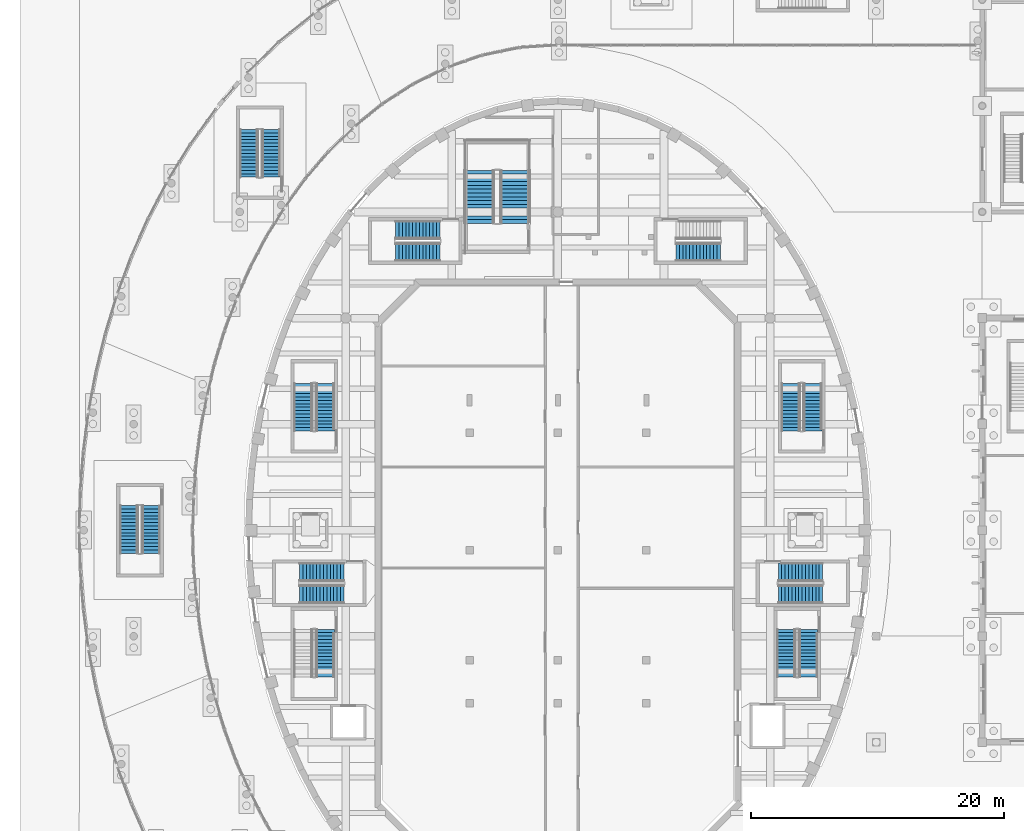
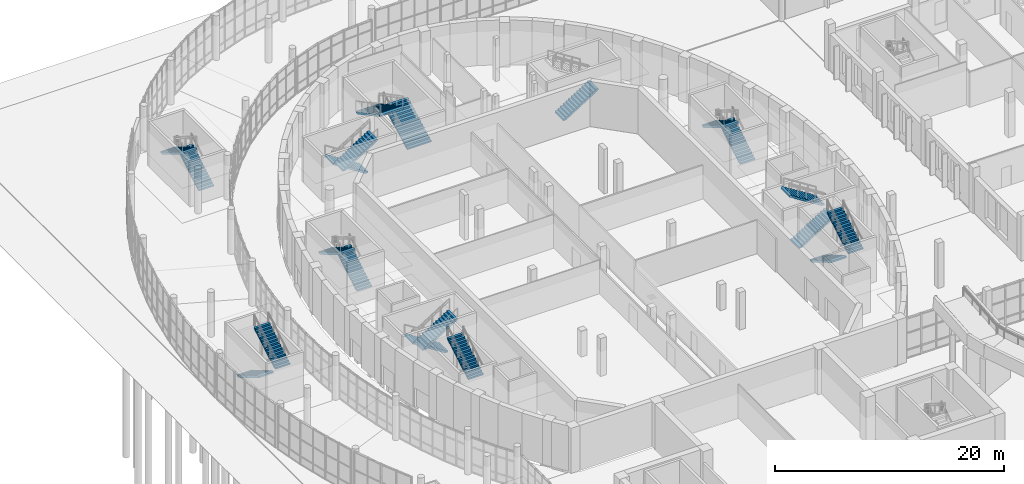
# One storey, part 70 of 110: 20 stair flights, 11 elements without a shape of their own.
"""IFC4 building model written with IfcOpenShell, lengths in metres."""

from ifc_helpers import new_model, si_unit, direction, frame, origin, place, context, subcontext, project, spatial, polyline, outline, extrude, material, type_object, element, aggregate, save


model = new_model("IFC4")

# Units and contexts
model_context = context("Model", 3, precision=1e-05, world=origin(), true_north=direction((0.0, 1.0)))
body_context = subcontext(model_context, "Body", "Model", "MODEL_VIEW")
ifc_project = project(units=[si_unit("LENGTHUNIT", "METRE"), si_unit("AREAUNIT", "SQUARE_METRE"), si_unit("VOLUMEUNIT", "CUBIC_METRE"), si_unit("PLANEANGLEUNIT", "RADIAN"), si_unit("MASSUNIT", "GRAM", prefix="KILO")], contexts=[model_context])

# Site, building, storey
site_placement = place(None, origin())
site = spatial("IfcSite", under=ifc_project, at=site_placement, CompositionType="ELEMENT")
building_placement = place(site_placement, origin())
building = spatial("IfcBuilding", under=site, at=building_placement, Name="Larchfold Concert Hall", CompositionType="ELEMENT")
storey_placement = place(building_placement, origin())
storey = spatial("IfcBuildingStorey", under=building, at=storey_placement, Name="L00", CompositionType="ELEMENT", Elevation=0.0)

# Stair, stair flights
ifc_material_1 = material(Name="Concrete C35/45", Category="concrete")
stair_type_1 = type_object("IfcStairType", Name="Stair RC half-turn enclosed", PredefinedType="HALF_TURN_STAIR", material=ifc_material_1)
stair_1_placement = place(storey_placement, origin())
stair_1 = element("IfcStair", 1, at=stair_1_placement, inside=storey, type_object=stair_type_1, Name="Stair DS1", PredefinedType="HALF_TURN_STAIR")
ifc_material_2 = material(Name="Concrete C35/45", Category="concrete")
stair_flight_type_1 = type_object("IfcStairFlightType", Name="Stair flight RC 1500 x 160.0", PredefinedType="STRAIGHT", material=ifc_material_2)
stair_flight_1_placement = place(storey_placement, frame((62.75, 92.449951171875, 0.0), z_axis=(0.0, 0.0, 1.0), x_axis=(0.0, 1.0, 0.0)))
stair_flight_1 = element("IfcStairFlight", 2, at=stair_flight_1_placement, type_object=stair_flight_type_1, Name="ST01 flight 1", NumberOfRisers=15, NumberOfTreads=14, PredefinedType="STRAIGHT", RiserHeight=0.16, TreadLength=0.27, context=body_context, shape_type="SweptSolid", body=[
    extrude(outline(polyline([(0.0, 0.0), (0.0, 0.159912109375), (0.27001953125, 0.159912109375), (0.27001953125, 0.320068359375), (0.5400390625, 0.320068359375), (0.5400390625, 0.47998046875), (0.81005859375, 0.47998046875), (0.81005859375, 0.639892578125), (1.080078125, 0.639892578125), (1.080078125, 0.800048828125), (1.35009765625, 0.800048828125), (1.35009765625, 0.9599609375), (1.6201171875, 0.9599609375), (1.6201171875, 1.1201171875), (1.889892578125, 1.1201171875), (1.889892578125, 1.280029296875), (2.159912109375, 1.280029296875), (2.159912109375, 1.43994140625), (2.429931640625, 1.43994140625), (2.429931640625, 1.60009765625), (2.699951171875, 1.60009765625), (2.699951171875, 1.760009765625), (2.969970703125, 1.760009765625), (2.969970703125, 1.919921875), (3.239990234375, 1.919921875), (3.239990234375, 2.080078125), (3.510009765625, 2.080078125), (3.510009765625, 2.239990234375), (3.780029296875, 2.239990234375), (3.780029296875, 2.39990234375), (3.780029296875, 2.065673828125), (0.2939453125, 0.0), (0.0, 0.0)])), frame((0.0, 0.75, 0.0), z_axis=(0.0, -1.0, 0.0), x_axis=(1.0, 0.0, 0.0)), (0.0, 0.0, 1.0), 1.5),
])
stair_flight_2_placement = place(storey_placement, frame((61.050048828125, 96.22998046875, 2.39990234375), z_axis=(0.0, 0.0, 1.0), x_axis=(0.0, -1.0, 0.0)))
stair_flight_2 = element("IfcStairFlight", 3, at=stair_flight_2_placement, type_object=stair_flight_type_1, Name="ST01 flight 2", NumberOfRisers=15, NumberOfTreads=14, PredefinedType="STRAIGHT", RiserHeight=0.16, TreadLength=0.27, context=body_context, shape_type="SweptSolid", body=[
    extrude(outline(polyline([(0.0, 0.0), (0.0, 0.159912109375), (0.27001953125, 0.159912109375), (0.27001953125, 0.320068359375), (0.5400390625, 0.320068359375), (0.5400390625, 0.47998046875), (0.81005859375, 0.47998046875), (0.81005859375, 0.639892578125), (1.080078125, 0.639892578125), (1.080078125, 0.800048828125), (1.35009765625, 0.800048828125), (1.35009765625, 0.9599609375), (1.6201171875, 0.9599609375), (1.6201171875, 1.1201171875), (1.889892578125, 1.1201171875), (1.889892578125, 1.280029296875), (2.159912109375, 1.280029296875), (2.159912109375, 1.43994140625), (2.429931640625, 1.43994140625), (2.429931640625, 1.60009765625), (2.699951171875, 1.60009765625), (2.699951171875, 1.760009765625), (2.969970703125, 1.760009765625), (2.969970703125, 1.919921875), (3.239990234375, 1.919921875), (3.239990234375, 2.080078125), (3.510009765625, 2.080078125), (3.510009765625, 2.239990234375), (3.780029296875, 2.239990234375), (3.780029296875, 2.39990234375), (3.780029296875, 2.065673828125), (0.2939453125, 0.0), (0.0, 0.0)])), frame((0.0, 0.75, 0.0), z_axis=(0.0, -1.0, 0.0), x_axis=(1.0, 0.0, 0.0)), (0.0, 0.0, 1.0), 1.5),
])
aggregate(stair_1, [stair_flight_1, stair_flight_2])

stair_2_placement = place(storey_placement, origin())
stair_2 = element("IfcStair", 4, at=stair_2_placement, inside=storey, type_object=stair_type_1, Name="Stair DS4", PredefinedType="HALF_TURN_STAIR")
stair_flight_3_placement = place(storey_placement, frame((24.14990234375, 92.449951171875, 0.0), z_axis=(0.0, 0.0, 1.0), x_axis=(0.0, 1.0, 0.0)))
stair_flight_3 = element("IfcStairFlight", 5, at=stair_flight_3_placement, type_object=stair_flight_type_1, Name="ST04 flight 1", NumberOfRisers=15, NumberOfTreads=14, PredefinedType="STRAIGHT", RiserHeight=0.16, TreadLength=0.27, context=body_context, shape_type="SweptSolid", body=[
    extrude(outline(polyline([(0.0, 0.0), (0.0, 0.159912109375), (0.27001953125, 0.159912109375), (0.27001953125, 0.320068359375), (0.5400390625, 0.320068359375), (0.5400390625, 0.47998046875), (0.81005859375, 0.47998046875), (0.81005859375, 0.639892578125), (1.080078125, 0.639892578125), (1.080078125, 0.800048828125), (1.35009765625, 0.800048828125), (1.35009765625, 0.9599609375), (1.6201171875, 0.9599609375), (1.6201171875, 1.1201171875), (1.889892578125, 1.1201171875), (1.889892578125, 1.280029296875), (2.159912109375, 1.280029296875), (2.159912109375, 1.43994140625), (2.429931640625, 1.43994140625), (2.429931640625, 1.60009765625), (2.699951171875, 1.60009765625), (2.699951171875, 1.760009765625), (2.969970703125, 1.760009765625), (2.969970703125, 1.919921875), (3.239990234375, 1.919921875), (3.239990234375, 2.080078125), (3.510009765625, 2.080078125), (3.510009765625, 2.239990234375), (3.780029296875, 2.239990234375), (3.780029296875, 2.39990234375), (3.780029296875, 2.065673828125), (0.2939453125, 0.0), (0.0, 0.0)])), frame((0.0, 0.75, 0.0), z_axis=(0.0, -1.0, 0.0), x_axis=(1.0, 0.0, 0.0)), (0.0, 0.0, 1.0), 1.5),
])
stair_flight_4_placement = place(storey_placement, frame((22.449951171875, 96.22998046875, 2.39990234375), z_axis=(0.0, 0.0, 1.0), x_axis=(0.0, -1.0, 0.0)))
stair_flight_4 = element("IfcStairFlight", 6, at=stair_flight_4_placement, type_object=stair_flight_type_1, Name="ST04 flight 2", NumberOfRisers=15, NumberOfTreads=14, PredefinedType="STRAIGHT", RiserHeight=0.16, TreadLength=0.27, context=body_context, shape_type="SweptSolid", body=[
    extrude(outline(polyline([(0.0, 0.0), (0.0, 0.159912109375), (0.27001953125, 0.159912109375), (0.27001953125, 0.320068359375), (0.5400390625, 0.320068359375), (0.5400390625, 0.47998046875), (0.81005859375, 0.47998046875), (0.81005859375, 0.639892578125), (1.080078125, 0.639892578125), (1.080078125, 0.800048828125), (1.35009765625, 0.800048828125), (1.35009765625, 0.9599609375), (1.6201171875, 0.9599609375), (1.6201171875, 1.1201171875), (1.889892578125, 1.1201171875), (1.889892578125, 1.280029296875), (2.159912109375, 1.280029296875), (2.159912109375, 1.43994140625), (2.429931640625, 1.43994140625), (2.429931640625, 1.60009765625), (2.699951171875, 1.60009765625), (2.699951171875, 1.760009765625), (2.969970703125, 1.760009765625), (2.969970703125, 1.919921875), (3.239990234375, 1.919921875), (3.239990234375, 2.080078125), (3.510009765625, 2.080078125), (3.510009765625, 2.239990234375), (3.780029296875, 2.239990234375), (3.780029296875, 2.39990234375), (3.780029296875, 2.065673828125), (0.2939453125, 0.0), (0.0, 0.0)])), frame((0.0, 0.75, 0.0), z_axis=(0.0, -1.0, 0.0), x_axis=(1.0, 0.0, 0.0)), (0.0, 0.0, 1.0), 1.5),
])
aggregate(stair_2, [stair_flight_3, stair_flight_4])

# Stair, stair flight
stair_3_placement = place(storey_placement, origin())
stair_3 = element("IfcStair", 7, at=stair_3_placement, inside=storey, type_object=stair_type_1, Name="Stair DS5", PredefinedType="HALF_TURN_STAIR")
stair_flight_5_placement = place(storey_placement, frame((24.14990234375, 72.969970703125, 2.39990234375), z_axis=(0.0, 0.0, 1.0), x_axis=(0.0, 1.0, 0.0)))
stair_flight_5 = element("IfcStairFlight", 8, at=stair_flight_5_placement, type_object=stair_flight_type_1, Name="ST05 flight 2", NumberOfRisers=15, NumberOfTreads=14, PredefinedType="STRAIGHT", RiserHeight=0.16, TreadLength=0.27, context=body_context, shape_type="SweptSolid", body=[
    extrude(outline(polyline([(0.0, 0.0), (0.0, 0.159912109375), (0.27001953125, 0.159912109375), (0.27001953125, 0.320068359375), (0.5400390625, 0.320068359375), (0.5400390625, 0.47998046875), (0.81005859375, 0.47998046875), (0.81005859375, 0.639892578125), (1.080078125, 0.639892578125), (1.080078125, 0.800048828125), (1.35009765625, 0.800048828125), (1.35009765625, 0.9599609375), (1.6201171875, 0.9599609375), (1.6201171875, 1.1201171875), (1.889892578125, 1.1201171875), (1.889892578125, 1.280029296875), (2.159912109375, 1.280029296875), (2.159912109375, 1.43994140625), (2.429931640625, 1.43994140625), (2.429931640625, 1.60009765625), (2.699951171875, 1.60009765625), (2.699951171875, 1.760009765625), (2.969970703125, 1.760009765625), (2.969970703125, 1.919921875), (3.239990234375, 1.919921875), (3.239990234375, 2.080078125), (3.510009765625, 2.080078125), (3.510009765625, 2.239990234375), (3.780029296875, 2.239990234375), (3.780029296875, 2.39990234375), (3.780029296875, 2.065673828125), (0.2939453125, 0.0), (0.0, 0.0)])), frame((0.0, 0.75, 0.0), z_axis=(0.0, -1.0, 0.0), x_axis=(1.0, 0.0, 0.0)), (0.0, 0.0, 1.0), 1.5),
])
aggregate(stair_3, [stair_flight_5])

# Stair, stair flights
stair_4_placement = place(storey_placement, origin())
stair_4 = element("IfcStair", 9, at=stair_4_placement, inside=storey, type_object=stair_type_1, Name="Stair DS6", PredefinedType="HALF_TURN_STAIR")
stair_flight_6_placement = place(storey_placement, frame((60.699951171875, 76.75, 0.0), z_axis=(0.0, 0.0, 1.0), x_axis=(0.0, -1.0, 0.0)))
stair_flight_6 = element("IfcStairFlight", 10, at=stair_flight_6_placement, type_object=stair_flight_type_1, Name="ST06 flight 1", NumberOfRisers=15, NumberOfTreads=14, PredefinedType="STRAIGHT", RiserHeight=0.16, TreadLength=0.27, context=body_context, shape_type="SweptSolid", body=[
    extrude(outline(polyline([(0.0, 0.0), (0.0, 0.159912109375), (0.27001953125, 0.159912109375), (0.27001953125, 0.320068359375), (0.5400390625, 0.320068359375), (0.5400390625, 0.47998046875), (0.81005859375, 0.47998046875), (0.81005859375, 0.639892578125), (1.080078125, 0.639892578125), (1.080078125, 0.800048828125), (1.35009765625, 0.800048828125), (1.35009765625, 0.9599609375), (1.6201171875, 0.9599609375), (1.6201171875, 1.1201171875), (1.889892578125, 1.1201171875), (1.889892578125, 1.280029296875), (2.159912109375, 1.280029296875), (2.159912109375, 1.43994140625), (2.429931640625, 1.43994140625), (2.429931640625, 1.60009765625), (2.699951171875, 1.60009765625), (2.699951171875, 1.760009765625), (2.969970703125, 1.760009765625), (2.969970703125, 1.919921875), (3.239990234375, 1.919921875), (3.239990234375, 2.080078125), (3.510009765625, 2.080078125), (3.510009765625, 2.239990234375), (3.780029296875, 2.239990234375), (3.780029296875, 2.39990234375), (3.780029296875, 2.065673828125), (0.2939453125, 0.0), (0.0, 0.0)])), frame((0.0, 0.75, 0.0), z_axis=(0.0, -1.0, 0.0), x_axis=(1.0, 0.0, 0.0)), (0.0, 0.0, 1.0), 1.5),
])
stair_flight_7_placement = place(storey_placement, frame((62.39990234375, 72.969970703125, 2.39990234375), z_axis=(0.0, 0.0, 1.0), x_axis=(0.0, 1.0, 0.0)))
stair_flight_7 = element("IfcStairFlight", 11, at=stair_flight_7_placement, type_object=stair_flight_type_1, Name="ST06 flight 2", NumberOfRisers=15, NumberOfTreads=14, PredefinedType="STRAIGHT", RiserHeight=0.16, TreadLength=0.27, context=body_context, shape_type="SweptSolid", body=[
    extrude(outline(polyline([(0.0, 0.0), (0.0, 0.159912109375), (0.27001953125, 0.159912109375), (0.27001953125, 0.320068359375), (0.5400390625, 0.320068359375), (0.5400390625, 0.47998046875), (0.81005859375, 0.47998046875), (0.81005859375, 0.639892578125), (1.080078125, 0.639892578125), (1.080078125, 0.800048828125), (1.35009765625, 0.800048828125), (1.35009765625, 0.9599609375), (1.6201171875, 0.9599609375), (1.6201171875, 1.1201171875), (1.889892578125, 1.1201171875), (1.889892578125, 1.280029296875), (2.159912109375, 1.280029296875), (2.159912109375, 1.43994140625), (2.429931640625, 1.43994140625), (2.429931640625, 1.60009765625), (2.699951171875, 1.60009765625), (2.699951171875, 1.760009765625), (2.969970703125, 1.760009765625), (2.969970703125, 1.919921875), (3.239990234375, 1.919921875), (3.239990234375, 2.080078125), (3.510009765625, 2.080078125), (3.510009765625, 2.239990234375), (3.780029296875, 2.239990234375), (3.780029296875, 2.39990234375), (3.780029296875, 2.065673828125), (0.2939453125, 0.0), (0.0, 0.0)])), frame((0.0, 0.75, 0.0), z_axis=(0.0, -1.0, 0.0), x_axis=(1.0, 0.0, 0.0)), (0.0, 0.0, 1.0), 1.5),
])
aggregate(stair_4, [stair_flight_6, stair_flight_7])

stair_5_placement = place(storey_placement, origin())
stair_5 = element("IfcStair", 12, at=stair_5_placement, inside=storey, type_object=stair_type_1, Name="Stair WG2", PredefinedType="HALF_TURN_STAIR")
stair_flight_8_placement = place(storey_placement, frame((8.64990234375, 86.550048828125, 0.0), z_axis=(0.0, 0.0, 1.0), x_axis=(0.0, -1.0, 0.0)))
stair_flight_8 = element("IfcStairFlight", 13, at=stair_flight_8_placement, type_object=stair_flight_type_1, Name="ST24 flight 1", NumberOfRisers=15, NumberOfTreads=14, PredefinedType="STRAIGHT", RiserHeight=0.16, TreadLength=0.27, context=body_context, shape_type="SweptSolid", body=[
    extrude(outline(polyline([(0.0, 0.0), (0.0, 0.159912109375), (0.27001953125, 0.159912109375), (0.27001953125, 0.320068359375), (0.5400390625, 0.320068359375), (0.5400390625, 0.47998046875), (0.81005859375, 0.47998046875), (0.81005859375, 0.639892578125), (1.080078125, 0.639892578125), (1.080078125, 0.800048828125), (1.35009765625, 0.800048828125), (1.35009765625, 0.9599609375), (1.6201171875, 0.9599609375), (1.6201171875, 1.1201171875), (1.889892578125, 1.1201171875), (1.889892578125, 1.280029296875), (2.159912109375, 1.280029296875), (2.159912109375, 1.43994140625), (2.429931640625, 1.43994140625), (2.429931640625, 1.60009765625), (2.699951171875, 1.60009765625), (2.699951171875, 1.760009765625), (2.969970703125, 1.760009765625), (2.969970703125, 1.919921875), (3.239990234375, 1.919921875), (3.239990234375, 2.080078125), (3.510009765625, 2.080078125), (3.510009765625, 2.239990234375), (3.780029296875, 2.239990234375), (3.780029296875, 2.39990234375), (3.780029296875, 2.065673828125), (0.2939453125, 0.0), (0.0, 0.0)])), frame((0.0, 0.75, 0.0), z_axis=(0.0, -1.0, 0.0), x_axis=(1.0, 0.0, 0.0)), (0.0, 0.0, 1.0), 1.5),
])
stair_flight_9_placement = place(storey_placement, frame((10.349853515625, 82.77001953125, 2.39990234375), z_axis=(0.0, 0.0, 1.0), x_axis=(0.0, 1.0, 0.0)))
stair_flight_9 = element("IfcStairFlight", 14, at=stair_flight_9_placement, type_object=stair_flight_type_1, Name="ST24 flight 2", NumberOfRisers=15, NumberOfTreads=14, PredefinedType="STRAIGHT", RiserHeight=0.16, TreadLength=0.27, context=body_context, shape_type="SweptSolid", body=[
    extrude(outline(polyline([(0.0, 0.0), (0.0, 0.159912109375), (0.27001953125, 0.159912109375), (0.27001953125, 0.320068359375), (0.5400390625, 0.320068359375), (0.5400390625, 0.47998046875), (0.81005859375, 0.47998046875), (0.81005859375, 0.639892578125), (1.080078125, 0.639892578125), (1.080078125, 0.800048828125), (1.35009765625, 0.800048828125), (1.35009765625, 0.9599609375), (1.6201171875, 0.9599609375), (1.6201171875, 1.1201171875), (1.889892578125, 1.1201171875), (1.889892578125, 1.280029296875), (2.159912109375, 1.280029296875), (2.159912109375, 1.43994140625), (2.429931640625, 1.43994140625), (2.429931640625, 1.60009765625), (2.699951171875, 1.60009765625), (2.699951171875, 1.760009765625), (2.969970703125, 1.760009765625), (2.969970703125, 1.919921875), (3.239990234375, 1.919921875), (3.239990234375, 2.080078125), (3.510009765625, 2.080078125), (3.510009765625, 2.239990234375), (3.780029296875, 2.239990234375), (3.780029296875, 2.39990234375), (3.780029296875, 2.065673828125), (0.2939453125, 0.0), (0.0, 0.0)])), frame((0.0, 0.75, 0.0), z_axis=(0.0, -1.0, 0.0), x_axis=(1.0, 0.0, 0.0)), (0.0, 0.0, 1.0), 1.5),
])
aggregate(stair_5, [stair_flight_8, stair_flight_9])

stair_6_placement = place(storey_placement, origin())
stair_6 = element("IfcStair", 15, at=stair_6_placement, inside=storey, type_object=stair_type_1, Name="Stair WG3", PredefinedType="HALF_TURN_STAIR")
stair_flight_10_placement = place(storey_placement, frame((19.85009765625, 112.550048828125, 0.0), z_axis=(0.0, 0.0, 1.0), x_axis=(0.0, 1.0, 0.0)))
stair_flight_10 = element("IfcStairFlight", 16, at=stair_flight_10_placement, type_object=stair_flight_type_1, Name="ST25 flight 1", NumberOfRisers=15, NumberOfTreads=14, PredefinedType="STRAIGHT", RiserHeight=0.16, TreadLength=0.27, context=body_context, shape_type="SweptSolid", body=[
    extrude(outline(polyline([(0.0, 0.0), (0.0, 0.159912109375), (0.27001953125, 0.159912109375), (0.27001953125, 0.320068359375), (0.5400390625, 0.320068359375), (0.5400390625, 0.47998046875), (0.81005859375, 0.47998046875), (0.81005859375, 0.639892578125), (1.080078125, 0.639892578125), (1.080078125, 0.800048828125), (1.35009765625, 0.800048828125), (1.35009765625, 0.9599609375), (1.6201171875, 0.9599609375), (1.6201171875, 1.1201171875), (1.889892578125, 1.1201171875), (1.889892578125, 1.280029296875), (2.159912109375, 1.280029296875), (2.159912109375, 1.43994140625), (2.429931640625, 1.43994140625), (2.429931640625, 1.60009765625), (2.699951171875, 1.60009765625), (2.699951171875, 1.760009765625), (2.969970703125, 1.760009765625), (2.969970703125, 1.919921875), (3.239990234375, 1.919921875), (3.239990234375, 2.080078125), (3.510009765625, 2.080078125), (3.510009765625, 2.239990234375), (3.780029296875, 2.239990234375), (3.780029296875, 2.39990234375), (3.780029296875, 2.065673828125), (0.2939453125, 0.0), (0.0, 0.0)])), frame((0.0, 0.75, 0.0), z_axis=(0.0, -1.0, 0.0), x_axis=(1.0, 0.0, 0.0)), (0.0, 0.0, 1.0), 1.5),
])
stair_flight_11_placement = place(storey_placement, frame((18.150146484375, 116.330078125, 2.39990234375), z_axis=(0.0, 0.0, 1.0), x_axis=(0.0, -1.0, 0.0)))
stair_flight_11 = element("IfcStairFlight", 17, at=stair_flight_11_placement, type_object=stair_flight_type_1, Name="ST25 flight 2", NumberOfRisers=15, NumberOfTreads=14, PredefinedType="STRAIGHT", RiserHeight=0.16, TreadLength=0.27, context=body_context, shape_type="SweptSolid", body=[
    extrude(outline(polyline([(0.0, 0.0), (0.0, 0.159912109375), (0.27001953125, 0.159912109375), (0.27001953125, 0.320068359375), (0.5400390625, 0.320068359375), (0.5400390625, 0.47998046875), (0.81005859375, 0.47998046875), (0.81005859375, 0.639892578125), (1.080078125, 0.639892578125), (1.080078125, 0.800048828125), (1.35009765625, 0.800048828125), (1.35009765625, 0.9599609375), (1.6201171875, 0.9599609375), (1.6201171875, 1.1201171875), (1.889892578125, 1.1201171875), (1.889892578125, 1.280029296875), (2.159912109375, 1.280029296875), (2.159912109375, 1.43994140625), (2.429931640625, 1.43994140625), (2.429931640625, 1.60009765625), (2.699951171875, 1.60009765625), (2.699951171875, 1.760009765625), (2.969970703125, 1.760009765625), (2.969970703125, 1.919921875), (3.239990234375, 1.919921875), (3.239990234375, 2.080078125), (3.510009765625, 2.080078125), (3.510009765625, 2.239990234375), (3.780029296875, 2.239990234375), (3.780029296875, 2.39990234375), (3.780029296875, 2.065673828125), (0.2939453125, 0.0), (0.0, 0.0)])), frame((0.0, 0.75, 0.0), z_axis=(0.0, -1.0, 0.0), x_axis=(1.0, 0.0, 0.0)), (0.0, 0.0, 1.0), 1.5),
])
aggregate(stair_6, [stair_flight_10, stair_flight_11])

# Stair, stair flight
stair_7_placement = place(storey_placement, origin())
stair_7 = element("IfcStair", 18, at=stair_7_placement, inside=storey, type_object=stair_type_1, Name="Stair DS2", PredefinedType="HALF_TURN_STAIR")
ifc_material_3 = material(Name="Concrete C35/45", Category="concrete")
stair_flight_type_2 = type_object("IfcStairFlightType", Name="Stair flight RC 1500 x 171.4", PredefinedType="STRAIGHT", material=ifc_material_3)
stair_flight_12_placement = place(storey_placement, frame((51.949951171875, 106.64990234375, 0.0), z_axis=(0.0, 0.0, 1.0), x_axis=(1.0, 0.0, 0.0)))
stair_flight_12 = element("IfcStairFlight", 19, at=stair_flight_12_placement, type_object=stair_flight_type_2, Name="ST02 flight 1", NumberOfRisers=14, NumberOfTreads=13, PredefinedType="STRAIGHT", RiserHeight=0.171428571, TreadLength=0.27, context=body_context, shape_type="SweptSolid", body=[
    extrude(outline(polyline([(0.0, 0.0), (0.0, 0.17138671875), (0.27001953125, 0.17138671875), (0.27001953125, 0.3427734375), (0.5400390625, 0.3427734375), (0.5400390625, 0.514404296875), (0.81005859375, 0.514404296875), (0.81005859375, 0.685791015625), (1.080078125, 0.685791015625), (1.080078125, 0.857177734375), (1.35009765625, 0.857177734375), (1.35009765625, 1.028564453125), (1.6201171875, 1.028564453125), (1.6201171875, 1.199951171875), (1.889892578125, 1.199951171875), (1.889892578125, 1.371337890625), (2.159912109375, 1.371337890625), (2.159912109375, 1.54296875), (2.429931640625, 1.54296875), (2.429931640625, 1.71435546875), (2.699951171875, 1.71435546875), (2.699951171875, 1.8857421875), (2.969970703125, 1.8857421875), (2.969970703125, 2.05712890625), (3.239990234375, 2.05712890625), (3.239990234375, 2.228515625), (3.510009765625, 2.228515625), (3.510009765625, 2.39990234375), (3.510009765625, 2.051025390625), (0.27978515625, 0.0), (0.0, 0.0)])), frame((0.0, 0.75, 0.0), z_axis=(0.0, -1.0, 0.0), x_axis=(1.0, 0.0, 0.0)), (0.0, 0.0, 1.0), 1.5),
])
aggregate(stair_7, [stair_flight_12])

# Stair, stair flights
stair_8_placement = place(storey_placement, origin())
stair_8 = element("IfcStair", 20, at=stair_8_placement, inside=storey, type_object=stair_type_1, Name="Stair DS3", PredefinedType="HALF_TURN_STAIR")
stair_flight_13_placement = place(storey_placement, frame((33.25, 108.35009765625, 0.0), z_axis=(0.0, 0.0, 1.0), x_axis=(-1.0, 0.0, 0.0)))
stair_flight_13 = element("IfcStairFlight", 21, at=stair_flight_13_placement, type_object=stair_flight_type_2, Name="ST03 flight 1", NumberOfRisers=14, NumberOfTreads=13, PredefinedType="STRAIGHT", RiserHeight=0.171428571, TreadLength=0.27, context=body_context, shape_type="SweptSolid", body=[
    extrude(outline(polyline([(0.0, 0.0), (0.0, 0.17138671875), (0.27001953125, 0.17138671875), (0.27001953125, 0.3427734375), (0.5400390625, 0.3427734375), (0.5400390625, 0.514404296875), (0.81005859375, 0.514404296875), (0.81005859375, 0.685791015625), (1.080078125, 0.685791015625), (1.080078125, 0.857177734375), (1.35009765625, 0.857177734375), (1.35009765625, 1.028564453125), (1.6201171875, 1.028564453125), (1.6201171875, 1.199951171875), (1.889892578125, 1.199951171875), (1.889892578125, 1.371337890625), (2.159912109375, 1.371337890625), (2.159912109375, 1.54296875), (2.429931640625, 1.54296875), (2.429931640625, 1.71435546875), (2.699951171875, 1.71435546875), (2.699951171875, 1.8857421875), (2.969970703125, 1.8857421875), (2.969970703125, 2.05712890625), (3.239990234375, 2.05712890625), (3.239990234375, 2.228515625), (3.510009765625, 2.228515625), (3.510009765625, 2.39990234375), (3.510009765625, 2.051025390625), (0.27978515625, 0.0), (0.0, 0.0)])), frame((0.0, 0.75, 0.0), z_axis=(0.0, -1.0, 0.0), x_axis=(1.0, 0.0, 0.0)), (0.0, 0.0, 1.0), 1.5),
])
stair_flight_14_placement = place(storey_placement, frame((29.739990234375, 106.650146484375, 2.39990234375), z_axis=(0.0, 0.0, 1.0), x_axis=(1.0, 0.0, 0.0)))
stair_flight_14 = element("IfcStairFlight", 22, at=stair_flight_14_placement, type_object=stair_flight_type_2, Name="ST03 flight 2", NumberOfRisers=14, NumberOfTreads=13, PredefinedType="STRAIGHT", RiserHeight=0.171428571, TreadLength=0.27, context=body_context, shape_type="SweptSolid", body=[
    extrude(outline(polyline([(0.0, 0.0), (0.0, 0.17138671875), (0.27001953125, 0.17138671875), (0.27001953125, 0.3427734375), (0.5400390625, 0.3427734375), (0.5400390625, 0.514404296875), (0.81005859375, 0.514404296875), (0.81005859375, 0.685791015625), (1.080078125, 0.685791015625), (1.080078125, 0.857177734375), (1.35009765625, 0.857177734375), (1.35009765625, 1.028564453125), (1.6201171875, 1.028564453125), (1.6201171875, 1.199951171875), (1.889892578125, 1.199951171875), (1.889892578125, 1.371337890625), (2.159912109375, 1.371337890625), (2.159912109375, 1.54296875), (2.429931640625, 1.54296875), (2.429931640625, 1.71435546875), (2.699951171875, 1.71435546875), (2.699951171875, 1.8857421875), (2.969970703125, 1.8857421875), (2.969970703125, 2.05712890625), (3.239990234375, 2.05712890625), (3.239990234375, 2.228515625), (3.510009765625, 2.228515625), (3.510009765625, 2.39990234375), (3.510009765625, 2.051025390625), (0.27978515625, 0.0), (0.0, 0.0)])), frame((0.0, 0.75, 0.0), z_axis=(0.0, -1.0, 0.0), x_axis=(1.0, 0.0, 0.0)), (0.0, 0.0, 1.0), 1.5),
])
aggregate(stair_8, [stair_flight_13, stair_flight_14])

stair_9_placement = place(storey_placement, origin())
stair_9 = element("IfcStair", 23, at=stair_9_placement, inside=storey, type_object=stair_type_1, Name="Stair DS7", PredefinedType="HALF_TURN_STAIR")
stair_flight_15_placement = place(storey_placement, frame((25.64990234375, 81.25, 0.0), z_axis=(0.0, 0.0, 1.0), x_axis=(-1.0, 0.0, 0.0)))
stair_flight_15 = element("IfcStairFlight", 24, at=stair_flight_15_placement, type_object=stair_flight_type_2, Name="ST07 flight 1", NumberOfRisers=14, NumberOfTreads=13, PredefinedType="STRAIGHT", RiserHeight=0.171428571, TreadLength=0.27, context=body_context, shape_type="SweptSolid", body=[
    extrude(outline(polyline([(0.0, 0.0), (0.0, 0.17138671875), (0.27001953125, 0.17138671875), (0.27001953125, 0.3427734375), (0.5400390625, 0.3427734375), (0.5400390625, 0.514404296875), (0.81005859375, 0.514404296875), (0.81005859375, 0.685791015625), (1.080078125, 0.685791015625), (1.080078125, 0.857177734375), (1.35009765625, 0.857177734375), (1.35009765625, 1.028564453125), (1.6201171875, 1.028564453125), (1.6201171875, 1.199951171875), (1.889892578125, 1.199951171875), (1.889892578125, 1.371337890625), (2.159912109375, 1.371337890625), (2.159912109375, 1.54296875), (2.429931640625, 1.54296875), (2.429931640625, 1.71435546875), (2.699951171875, 1.71435546875), (2.699951171875, 1.8857421875), (2.969970703125, 1.8857421875), (2.969970703125, 2.05712890625), (3.239990234375, 2.05712890625), (3.239990234375, 2.228515625), (3.510009765625, 2.228515625), (3.510009765625, 2.39990234375), (3.510009765625, 2.051025390625), (0.27978515625, 0.0), (0.0, 0.0)])), frame((0.0, 0.75, 0.0), z_axis=(0.0, -1.0, 0.0), x_axis=(1.0, 0.0, 0.0)), (0.0, 0.0, 1.0), 1.5),
])
stair_flight_16_placement = place(storey_placement, frame((22.139892578125, 79.550048828125, 2.39990234375), z_axis=(0.0, 0.0, 1.0), x_axis=(1.0, 0.0, 0.0)))
stair_flight_16 = element("IfcStairFlight", 25, at=stair_flight_16_placement, type_object=stair_flight_type_2, Name="ST07 flight 2", NumberOfRisers=14, NumberOfTreads=13, PredefinedType="STRAIGHT", RiserHeight=0.171428571, TreadLength=0.27, context=body_context, shape_type="SweptSolid", body=[
    extrude(outline(polyline([(0.0, 0.0), (0.0, 0.17138671875), (0.27001953125, 0.17138671875), (0.27001953125, 0.3427734375), (0.5400390625, 0.3427734375), (0.5400390625, 0.514404296875), (0.81005859375, 0.514404296875), (0.81005859375, 0.685791015625), (1.080078125, 0.685791015625), (1.080078125, 0.857177734375), (1.35009765625, 0.857177734375), (1.35009765625, 1.028564453125), (1.6201171875, 1.028564453125), (1.6201171875, 1.199951171875), (1.889892578125, 1.199951171875), (1.889892578125, 1.371337890625), (2.159912109375, 1.371337890625), (2.159912109375, 1.54296875), (2.429931640625, 1.54296875), (2.429931640625, 1.71435546875), (2.699951171875, 1.71435546875), (2.699951171875, 1.8857421875), (2.969970703125, 1.8857421875), (2.969970703125, 2.05712890625), (3.239990234375, 2.05712890625), (3.239990234375, 2.228515625), (3.510009765625, 2.228515625), (3.510009765625, 2.39990234375), (3.510009765625, 2.051025390625), (0.27978515625, 0.0), (0.0, 0.0)])), frame((0.0, 0.75, 0.0), z_axis=(0.0, -1.0, 0.0), x_axis=(1.0, 0.0, 0.0)), (0.0, 0.0, 1.0), 1.5),
])
aggregate(stair_9, [stair_flight_15, stair_flight_16])

stair_10_placement = place(storey_placement, origin())
stair_10 = element("IfcStair", 26, at=stair_10_placement, inside=storey, type_object=stair_type_1, Name="Stair DS8", PredefinedType="HALF_TURN_STAIR")
stair_flight_17_placement = place(storey_placement, frame((60.050048828125, 79.550048828125, 0.0), z_axis=(0.0, 0.0, 1.0), x_axis=(1.0, 0.0, 0.0)))
stair_flight_17 = element("IfcStairFlight", 27, at=stair_flight_17_placement, type_object=stair_flight_type_2, Name="ST08 flight 1", NumberOfRisers=14, NumberOfTreads=13, PredefinedType="STRAIGHT", RiserHeight=0.171428571, TreadLength=0.27, context=body_context, shape_type="SweptSolid", body=[
    extrude(outline(polyline([(0.0, 0.0), (0.0, 0.17138671875), (0.27001953125, 0.17138671875), (0.27001953125, 0.3427734375), (0.5400390625, 0.3427734375), (0.5400390625, 0.514404296875), (0.81005859375, 0.514404296875), (0.81005859375, 0.685791015625), (1.080078125, 0.685791015625), (1.080078125, 0.857177734375), (1.35009765625, 0.857177734375), (1.35009765625, 1.028564453125), (1.6201171875, 1.028564453125), (1.6201171875, 1.199951171875), (1.889892578125, 1.199951171875), (1.889892578125, 1.371337890625), (2.159912109375, 1.371337890625), (2.159912109375, 1.54296875), (2.429931640625, 1.54296875), (2.429931640625, 1.71435546875), (2.699951171875, 1.71435546875), (2.699951171875, 1.8857421875), (2.969970703125, 1.8857421875), (2.969970703125, 2.05712890625), (3.239990234375, 2.05712890625), (3.239990234375, 2.228515625), (3.510009765625, 2.228515625), (3.510009765625, 2.39990234375), (3.510009765625, 2.051025390625), (0.27978515625, 0.0), (0.0, 0.0)])), frame((0.0, 0.75, 0.0), z_axis=(0.0, -1.0, 0.0), x_axis=(1.0, 0.0, 0.0)), (0.0, 0.0, 1.0), 1.5),
])
stair_flight_18_placement = place(storey_placement, frame((63.56005859375, 81.25, 2.39990234375), z_axis=(0.0, 0.0, 1.0), x_axis=(-1.0, 0.0, 0.0)))
stair_flight_18 = element("IfcStairFlight", 28, at=stair_flight_18_placement, type_object=stair_flight_type_2, Name="ST08 flight 2", NumberOfRisers=14, NumberOfTreads=13, PredefinedType="STRAIGHT", RiserHeight=0.171428571, TreadLength=0.27, context=body_context, shape_type="SweptSolid", body=[
    extrude(outline(polyline([(0.0, 0.0), (0.0, 0.17138671875), (0.27001953125, 0.17138671875), (0.27001953125, 0.3427734375), (0.5400390625, 0.3427734375), (0.5400390625, 0.514404296875), (0.81005859375, 0.514404296875), (0.81005859375, 0.685791015625), (1.080078125, 0.685791015625), (1.080078125, 0.857177734375), (1.35009765625, 0.857177734375), (1.35009765625, 1.028564453125), (1.6201171875, 1.028564453125), (1.6201171875, 1.199951171875), (1.889892578125, 1.199951171875), (1.889892578125, 1.371337890625), (2.159912109375, 1.371337890625), (2.159912109375, 1.54296875), (2.429931640625, 1.54296875), (2.429931640625, 1.71435546875), (2.699951171875, 1.71435546875), (2.699951171875, 1.8857421875), (2.969970703125, 1.8857421875), (2.969970703125, 2.05712890625), (3.239990234375, 2.05712890625), (3.239990234375, 2.228515625), (3.510009765625, 2.228515625), (3.510009765625, 2.39990234375), (3.510009765625, 2.051025390625), (0.27978515625, 0.0), (0.0, 0.0)])), frame((0.0, 0.75, 0.0), z_axis=(0.0, -1.0, 0.0), x_axis=(1.0, 0.0, 0.0)), (0.0, 0.0, 1.0), 1.5),
])
aggregate(stair_10, [stair_flight_17, stair_flight_18])

ifc_material_4 = material(Name="Concrete C35/45", Category="concrete")
stair_type_2 = type_object("IfcStairType", Name="Stair RC half-turn open", PredefinedType="HALF_TURN_STAIR", material=ifc_material_4)
stair_11_placement = place(storey_placement, origin())
stair_11 = element("IfcStair", 29, at=stair_11_placement, inside=storey, type_object=stair_type_2, Name="Stair PS1", PredefinedType="HALF_TURN_STAIR")
ifc_material_5 = material(Name="Concrete C35/45", Category="concrete")
stair_flight_type_3 = type_object("IfcStairFlightType", Name="Stair flight RC 2400 x 160.0", PredefinedType="STRAIGHT", material=ifc_material_5)
stair_flight_19_placement = place(storey_placement, frame((39.199951171875, 108.89990234375, 0.0), z_axis=(0.0, 0.0, 1.0), x_axis=(0.0, 1.0, 0.0)))
stair_flight_19 = element("IfcStairFlight", 30, at=stair_flight_19_placement, type_object=stair_flight_type_3, Name="ST27 flight 1", NumberOfRisers=15, NumberOfTreads=14, PredefinedType="STRAIGHT", RiserHeight=0.16, TreadLength=0.3, context=body_context, shape_type="SweptSolid", body=[
    extrude(outline(polyline([(0.0, 0.0), (0.0, 0.159912109375), (0.300048828125, 0.159912109375), (0.300048828125, 0.320068359375), (0.60009765625, 0.320068359375), (0.60009765625, 0.47998046875), (0.89990234375, 0.47998046875), (0.89990234375, 0.639892578125), (1.199951171875, 0.639892578125), (1.199951171875, 0.800048828125), (1.5, 0.800048828125), (1.5, 0.9599609375), (1.800048828125, 0.9599609375), (1.800048828125, 1.1201171875), (2.10009765625, 1.1201171875), (2.10009765625, 1.280029296875), (2.39990234375, 1.280029296875), (2.39990234375, 1.43994140625), (2.699951171875, 1.43994140625), (2.699951171875, 1.60009765625), (3.0, 1.60009765625), (3.0, 1.760009765625), (3.300048828125, 1.760009765625), (3.300048828125, 1.919921875), (3.60009765625, 1.919921875), (3.60009765625, 2.080078125), (3.89990234375, 2.080078125), (3.89990234375, 2.239990234375), (4.199951171875, 2.239990234375), (4.199951171875, 2.39990234375), (4.199951171875, 2.070068359375), (0.318603515625, 0.0), (0.0, 0.0)])), frame((0.0, 1.199951171875, 0.0), z_axis=(0.0, -1.0, 0.0), x_axis=(1.0, 0.0, 0.0)), (0.0, 0.0, 1.0), 2.39990234375),
])
stair_flight_20_placement = place(storey_placement, frame((36.39990234375, 113.10009765625, 2.39990234375), z_axis=(0.0, 0.0, 1.0), x_axis=(0.0, -1.0, 0.0)))
stair_flight_20 = element("IfcStairFlight", 31, at=stair_flight_20_placement, type_object=stair_flight_type_3, Name="ST27 flight 2", NumberOfRisers=15, NumberOfTreads=14, PredefinedType="STRAIGHT", RiserHeight=0.16, TreadLength=0.3, context=body_context, shape_type="SweptSolid", body=[
    extrude(outline(polyline([(0.0, 0.0), (0.0, 0.159912109375), (0.300048828125, 0.159912109375), (0.300048828125, 0.320068359375), (0.60009765625, 0.320068359375), (0.60009765625, 0.47998046875), (0.89990234375, 0.47998046875), (0.89990234375, 0.639892578125), (1.199951171875, 0.639892578125), (1.199951171875, 0.800048828125), (1.5, 0.800048828125), (1.5, 0.9599609375), (1.800048828125, 0.9599609375), (1.800048828125, 1.1201171875), (2.10009765625, 1.1201171875), (2.10009765625, 1.280029296875), (2.39990234375, 1.280029296875), (2.39990234375, 1.43994140625), (2.699951171875, 1.43994140625), (2.699951171875, 1.60009765625), (3.0, 1.60009765625), (3.0, 1.760009765625), (3.300048828125, 1.760009765625), (3.300048828125, 1.919921875), (3.60009765625, 1.919921875), (3.60009765625, 2.080078125), (3.89990234375, 2.080078125), (3.89990234375, 2.239990234375), (4.199951171875, 2.239990234375), (4.199951171875, 2.39990234375), (4.199951171875, 2.070068359375), (0.318603515625, 0.0), (0.0, 0.0)])), frame((0.0, 1.199951171875, 0.0), z_axis=(0.0, -1.0, 0.0), x_axis=(1.0, 0.0, 0.0)), (0.0, 0.0, 1.0), 2.39990234375),
])
aggregate(stair_11, [stair_flight_19, stair_flight_20])

save(model, "model.ifc")
